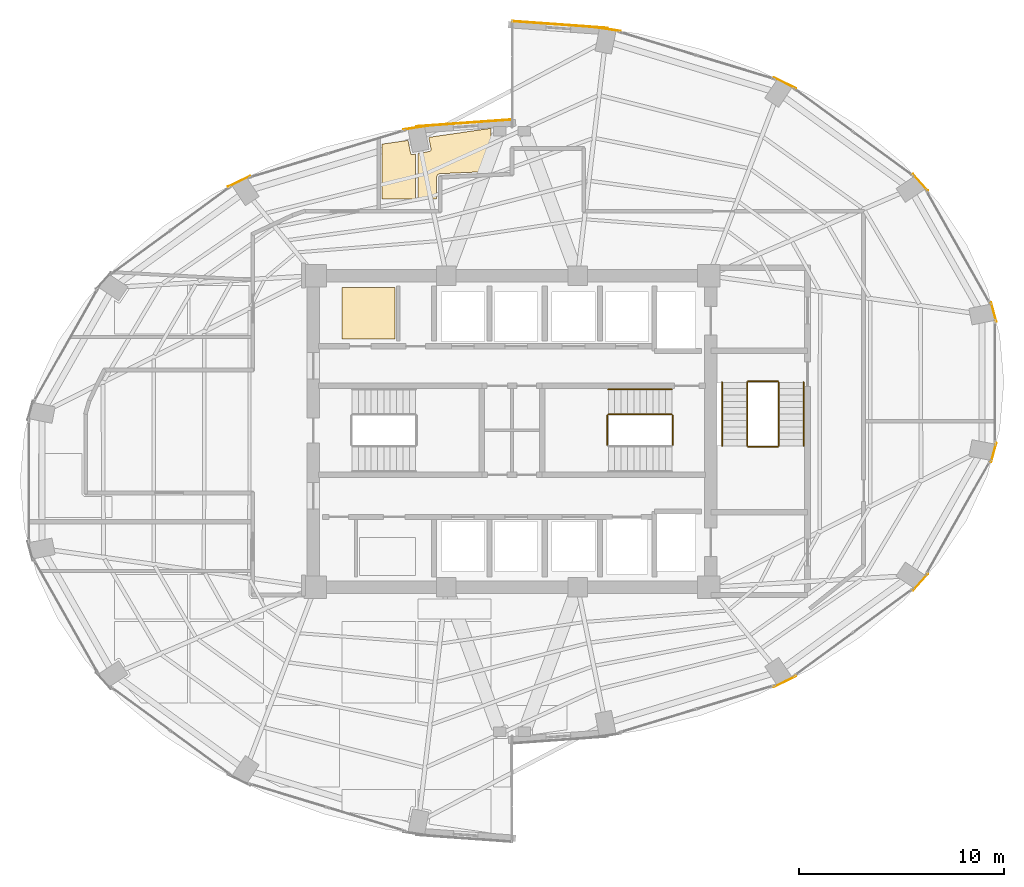
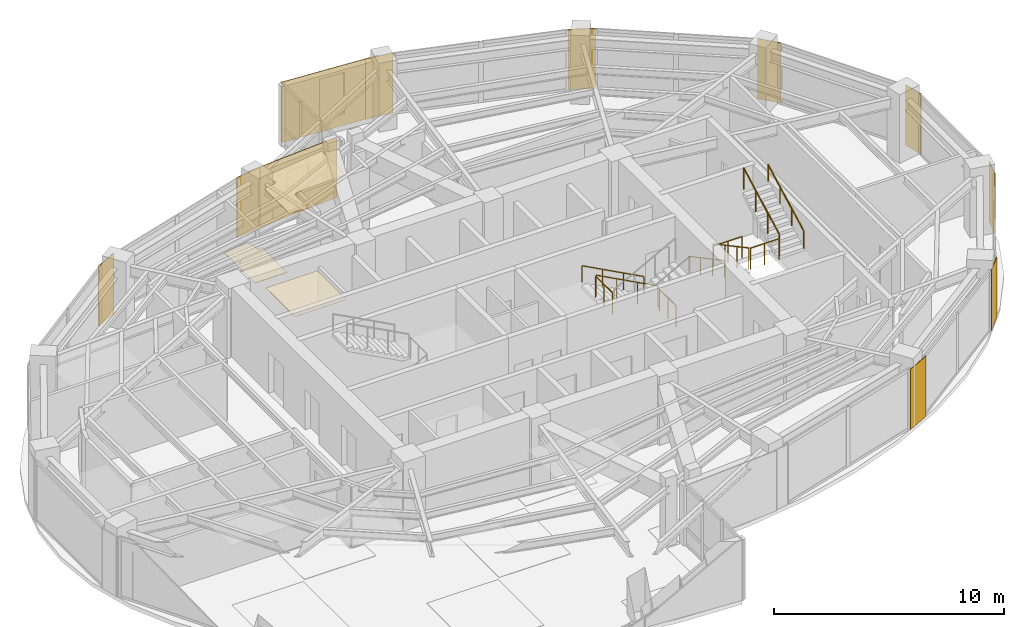
# One storey, part 20 of 20: 14 coverings, 10 railings.
"""IFC4 building model written with IfcOpenShell, lengths in metres."""

from ifc_helpers import new_model, si_unit, direction, frame, origin, origin_2d, place, context, subcontext, project, spatial, polyline, rectangle, circle, outline, extrude, material, layer, layer_set, type_object, element, save


model = new_model("IFC4")

# Units and contexts
model_context = context("Model", 3, precision=1e-05, world=origin(), true_north=direction((0.0, 1.0)))
body_context = subcontext(model_context, "Body", "Model", "MODEL_VIEW")
ifc_project = project(units=[si_unit("LENGTHUNIT", "METRE"), si_unit("AREAUNIT", "SQUARE_METRE"), si_unit("VOLUMEUNIT", "CUBIC_METRE"), si_unit("PLANEANGLEUNIT", "RADIAN"), si_unit("MASSUNIT", "GRAM", prefix="KILO")], contexts=[model_context])

# Site, building, storey
site_placement = place(None, origin())
site = spatial("IfcSite", under=ifc_project, at=site_placement, CompositionType="ELEMENT")
building_placement = place(site_placement, origin())
building = spatial("IfcBuilding", under=site, at=building_placement, Name="Lazwardi Medical Tower", CompositionType="ELEMENT")
storey_placement = place(building_placement, frame((0.0, 0.0, 185.7119140625)))
storey = spatial("IfcBuildingStorey", under=building, at=storey_placement, Name="L48", CompositionType="ELEMENT", Elevation=185.7119140625)

# Coverings
ifc_material_1 = material(Name="Anodised bronze aluminium cassette cladding", Category="aluminium")
ifc_layer_1 = layer(ifc_material_1, 0.030029296875)
ifc_layer_set_1 = layer_set([ifc_layer_1], Name="Anodised bronze aluminium cassette cladding")
covering_type_1 = type_object("IfcCoveringType", Name="COV-CLD-BRZ", PredefinedType="CLADDING", material=ifc_layer_set_1)
covering_1_placement = place(storey_placement, frame((49.31103515625, 15.798095703125, 0.0), z_axis=(0.0, 0.0, 1.0), x_axis=(0.898079014814, 0.439834154144, 0.0)))
element("IfcCovering", 1, at=covering_1_placement, inside=storey, type_object=covering_type_1, Name="L48 Mega-column bronze cassette cover M02", PredefinedType="CLADDING", context=body_context, shape_type="SweptSolid", body=[
    extrude(rectangle(XDim=1.200439453125, YDim=0.030029296875, at=origin_2d()), origin(), (0.0, 0.0, 1.0), 3.197998046875),
])
covering_2_placement = place(storey_placement, frame((55.92138671875, 20.643310546875, 0.0), z_axis=(0.0, 0.0, 1.0), x_axis=(0.673714459537, 0.738991763832, 0.0)))
element("IfcCovering", 2, at=covering_2_placement, inside=storey, type_object=covering_type_1, Name="L48 Mega-column bronze cassette cover M03", PredefinedType="CLADDING", context=body_context, shape_type="SweptSolid", body=[
    extrude(rectangle(XDim=1.0693359375, YDim=0.030029296875, at=origin_2d()), origin(), (0.0, 0.0, 1.0), 3.197998046875),
])
for number, where, z_axis, x_axis, name in (
    (3, (59.498779296875, 26.973876953125, 0.0), (0.0, 0.0, 1.0), (0.261828726257, 0.965114354938, 0.0), "L48 Mega-column bronze cassette cover M04"),
    (4, (59.498779296875, 33.826171875, 0.0), (0.0, 0.0, 1.0), (-0.261828726257, 0.965114354938, 0.0), "L48 Mega-column bronze cassette cover M05"),
):
    element("IfcCovering", number, at=place(storey_placement, frame(where, z_axis=z_axis, x_axis=x_axis)), inside=storey, type_object=covering_type_1, Name=name, PredefinedType="CLADDING", context=body_context, shape_type="SweptSolid", body=[
        extrude(rectangle(XDim=0.9658203125, YDim=0.030029296875, at=origin_2d()), origin(), (0.0, 0.0, 1.0), 3.197998046875),
    ])
covering_3_placement = place(storey_placement, frame((55.92138671875, 40.15673828125, 0.0), z_axis=(0.0, 0.0, 1.0), x_axis=(-0.673714459537, 0.738991763832, 0.0)))
element("IfcCovering", 5, at=covering_3_placement, inside=storey, type_object=covering_type_1, Name="L48 Mega-column bronze cassette cover M06", PredefinedType="CLADDING", context=body_context, shape_type="SweptSolid", body=[
    extrude(rectangle(XDim=1.0693359375, YDim=0.030029296875, at=origin_2d()), origin(), (0.0, 0.0, 1.0), 3.197998046875),
])
covering_4_placement = place(storey_placement, frame((49.31103515625, 45.001953125, 0.0), z_axis=(0.0, 0.0, 1.0), x_axis=(-0.898079014814, 0.439834154144, 0.0)))
element("IfcCovering", 6, at=covering_4_placement, inside=storey, type_object=covering_type_1, Name="L48 Mega-column bronze cassette cover M07", PredefinedType="CLADDING", context=body_context, shape_type="SweptSolid", body=[
    extrude(rectangle(XDim=1.200439453125, YDim=0.030029296875, at=origin_2d()), origin(), (0.0, 0.0, 1.0), 3.197998046875),
])
for number, where, z_axis, x_axis, name in (
    (7, (40.67431640625, 47.6240234375, 0.0), (0.0, 0.0, 1.0), (-0.989539138138, 0.144264666823, 0.0), "L48 Mega-column bronze cassette cover M08"),
    (8, (31.32568359375, 42.82421875, 0.0), (0.0, 0.0, 1.0), (-0.989539138138, -0.144264666823, 0.0), "L48 Mega-column bronze cassette cover M09"),
):
    element("IfcCovering", number, at=place(storey_placement, frame(where, z_axis=z_axis, x_axis=x_axis)), inside=storey, type_object=covering_type_1, Name=name, PredefinedType="CLADDING", context=body_context, shape_type="SweptSolid", body=[
        extrude(rectangle(XDim=1.28515625, YDim=0.030029296875, at=origin_2d()), origin(), (0.0, 0.0, 1.0), 3.197998046875),
    ])
covering_5_placement = place(storey_placement, frame((22.68896484375, 40.201904296875, 0.0), z_axis=(0.0, 0.0, 1.0), x_axis=(-0.898079014814, -0.439834154144, 0.0)))
element("IfcCovering", 9, at=covering_5_placement, inside=storey, type_object=covering_type_1, Name="L48 Mega-column bronze cassette cover M10", PredefinedType="CLADDING", context=body_context, shape_type="SweptSolid", body=[
    extrude(rectangle(XDim=1.200439453125, YDim=0.030029296875, at=origin_2d()), origin(), (0.0, 0.0, 1.0), 3.197998046875),
])
ifc_material_2 = material(Name="Turquoise glazed ceramic tilework cladding", Category="masonry")
ifc_layer_2 = layer(ifc_material_2, 0.034912109375)
ifc_layer_set_2 = layer_set([ifc_layer_2], Name="Turquoise glazed ceramic tilework cladding")
covering_type_2 = type_object("IfcCoveringType", Name="COV-CLD-TRQ", PredefinedType="CLADDING", material=ifc_layer_set_2)
covering_6_placement = place(storey_placement, frame((38.338134765625, 47.847412109375, 0.0), z_axis=(0.0, 0.0, 1.0), x_axis=(-0.997414510753, 0.071863020663, 0.0)))
element("IfcCovering", 10, at=covering_6_placement, inside=storey, type_object=covering_type_2, Name="L48 Turquoise glazed ceramic tilework cladding", PredefinedType="CLADDING", context=body_context, shape_type="SweptSolid", body=[
    extrude(rectangle(XDim=4.6630859375, YDim=0.034912109375, at=origin_2d()), origin(), (0.0, 0.0, 1.0), 3.197998046875),
])
covering_7_placement = place(storey_placement, frame((33.66162109375, 43.047607421875, 0.0), z_axis=(0.0, 0.0, 1.0), x_axis=(-0.997414134466, -0.071868243112, 0.0)))
element("IfcCovering", 11, at=covering_7_placement, inside=storey, type_object=covering_type_2, Name="L48 Turquoise glazed ceramic tilework cladding", PredefinedType="CLADDING", context=body_context, shape_type="SweptSolid", body=[
    extrude(rectangle(XDim=4.66259765625, YDim=0.034912109375, at=origin_2d()), origin(), (0.0, 0.0, 1.0), 3.197998046875),
])
ifc_material_3 = material(Name="Acoustic mineral fibre tile")
ifc_layer_3 = layer(ifc_material_3, 0.02490234375)
ifc_layer_set_3 = layer_set([ifc_layer_3], Name="Acoustic mineral fibre tile")
covering_type_3 = type_object("IfcCoveringType", Name="COV-CLG-01", PredefinedType="CEILING", material=ifc_layer_set_3)
covering_8_placement = place(storey_placement, frame((0.0, 0.0, 3.052978515625)))
element("IfcCovering", 12, at=covering_8_placement, inside=storey, type_object=covering_type_3, Name="L48 Clinical Acoustic Ceiling 8", PredefinedType="CEILING", context=body_context, shape_type="SweptSolid", body=[
    extrude(outline(polyline([(27.702880859375, 32.5), (30.2900390625, 32.5), (30.2900390625, 35.02001953125), (27.702880859375, 35.02001953125), (27.702880859375, 32.5)])), origin(), (0.0, 0.0, 1.0), 0.025146484375),
])
covering_9_placement = place(storey_placement, frame((0.0, 0.0, 3.052978515625)))
element("IfcCovering", 13, at=covering_9_placement, inside=storey, type_object=covering_type_3, Name="L48 Clinical Acoustic Ceiling 10", PredefinedType="CEILING", context=body_context, shape_type="SweptSolid", body=[
    extrude(outline(polyline([(34.98291015625, 42.791259765625), (31.93994140625, 42.3486328125), (32.05615234375, 41.7646484375), (32.05712890625, 41.7568359375), (32.0576171875, 41.7490234375), (32.05712890625, 41.7412109375), (32.05615234375, 41.7333984375), (32.05419921875, 41.725830078125), (32.051513671875, 41.718505859375), (32.048095703125, 41.71142578125), (32.044189453125, 41.70458984375), (32.039306640625, 41.698486328125), (32.0341796875, 41.6923828125), (32.0283203125, 41.687255859375), (32.02197265625, 41.6826171875), (32.015380859375, 41.678466796875), (32.00830078125, 41.67529296875), (32.000732421875, 41.672607421875), (31.9931640625, 41.670654296875), (31.40283203125, 41.55322265625), (31.40283203125, 39.3525390625), (32.324951171875, 39.3525390625), (32.324951171875, 40.3994140625), (32.3251953125, 40.40283203125), (32.325439453125, 40.411865234375), (32.326171875, 40.419921875), (32.327392578125, 40.428955078125), (32.3291015625, 40.436767578125), (32.331298828125, 40.445556640625), (32.3330078125, 40.45166015625), (32.3359375, 40.460205078125), (32.339111328125, 40.46826171875), (32.343017578125, 40.4765625), (32.34619140625, 40.48291015625), (32.350830078125, 40.49072265625), (32.35498046875, 40.497314453125), (32.3603515625, 40.504638671875), (32.364990234375, 40.510498046875), (32.370849609375, 40.517333984375), (32.376220703125, 40.522705078125), (32.3828125, 40.529052734375), (32.388427734375, 40.533935546875), (32.3955078125, 40.53955078125), (32.40234375, 40.54443359375), (32.409912109375, 40.54931640625), (32.415283203125, 40.552490234375), (32.42333984375, 40.556640625), (32.431640625, 40.560302734375), (32.440185546875, 40.563720703125), (32.44580078125, 40.565673828125), (32.45458984375, 40.568359375), (32.462646484375, 40.5703125), (32.4716796875, 40.572021484375), (32.4794921875, 40.572998046875), (32.488525390625, 40.573974609375), (32.491943359375, 40.57421875), (34.98291015625, 40.6884765625), (34.98291015625, 42.791259765625)])), origin(), (0.0, 0.0, 1.0), 0.025146484375),
])
ifc_material_4 = material(Name="Anti-static hospital vinyl sheet flooring")
ifc_layer_4 = layer(ifc_material_4, 0.014892578125)
ifc_layer_set_4 = layer_set([ifc_layer_4], Name="Anti-static hospital vinyl sheet flooring")
covering_type_4 = type_object("IfcCoveringType", Name="COV-FLR-01", PredefinedType="FLOORING", material=ifc_layer_set_4)
covering_10_placement = place(storey_placement, origin())
element("IfcCovering", 14, at=covering_10_placement, inside=storey, type_object=covering_type_4, Name="L48 Clinical Vinyl Flooring 7", PredefinedType="FLOORING", context=body_context, shape_type="SweptSolid", body=[
    extrude(outline(polyline([(31.282958984375, 41.529296875), (31.149658203125, 41.502685546875), (31.141845703125, 41.501708984375), (31.134033203125, 41.501220703125), (31.126220703125, 41.501708984375), (31.118408203125, 41.502685546875), (31.11083984375, 41.504638671875), (31.103515625, 41.50732421875), (31.096435546875, 41.5107421875), (31.089599609375, 41.514892578125), (31.083251953125, 41.51953125), (31.077392578125, 41.524658203125), (31.072265625, 41.530517578125), (31.067626953125, 41.536865234375), (31.0634765625, 41.543701171875), (31.060302734375, 41.55078125), (31.0576171875, 41.55810546875), (31.0556640625, 41.565673828125), (30.92919921875, 42.201416015625), (29.6650390625, 42.017578125), (29.6650390625, 39.3525390625), (31.282958984375, 39.3525390625), (31.282958984375, 41.529296875)])), origin(), (0.0, 0.0, 1.0), 0.01513671875),
])

# Railings
ifc_material_5 = material(Name="Stainless steel Grade 316", Category="steel")
railing_type_1 = type_object("IfcRailingType", Name="RLG-GRD-1150", PredefinedType="GUARDRAIL", material=ifc_material_5)
railing_1_placement = place(storey_placement, frame((43.800048828125, 28.830078125, 0.166015625)))
element("IfcRailing", 15, at=railing_1_placement, inside=storey, type_object=railing_type_1, Name="L48 ST2 stair guard 1", PredefinedType="GUARDRAIL", context=body_context, shape_type="SweptSolid", body=[
    extrude(circle(Radius=0.02392578125, at=origin_2d()), frame((0.0, 0.0, 1.1259765625), z_axis=(-0.881812178953, 0.0, 0.471600764472), x_axis=(0.0, -1.0, 0.0)), (0.0, 0.0, 1.0), 3.515625),
    extrude(circle(Radius=0.02099609375, at=origin_2d()), origin(), (0.0, 0.0, 1.0), 1.099853515625),
    extrude(circle(Radius=0.02099609375, at=origin_2d()), frame((-1.033447265625, 0.0, 0.552734375)), (0.0, 0.0, 1.0), 1.099853515625),
    extrude(circle(Radius=0.02099609375, at=origin_2d()), frame((-2.066650390625, 0.0, 1.105224609375)), (0.0, 0.0, 1.0), 1.099853515625),
    extrude(circle(Radius=0.02099609375, at=origin_2d()), frame((-3.10009765625, 0.0, 1.657958984375)), (0.0, 0.0, 1.0), 1.099853515625),
])
for number, where, name in (
    (16, (40.64990234375, 28.780029296875, 1.823974609375), "L48 ST2 stair guard 2"),
    (17, (43.85009765625, 28.780029296875, 0.0), "L48 ST2 stair guard 4"),
):
    element("IfcRailing", number, at=place(storey_placement, frame(where)), inside=storey, type_object=railing_type_1, Name=name, PredefinedType="GUARDRAIL", context=body_context, shape_type="SweptSolid", body=[
        extrude(circle(Radius=0.02392578125, at=origin_2d()), frame((0.0, 0.0, 1.1259765625), z_axis=(0.0, -1.0, 0.0), x_axis=(1.0, 0.0, 0.0)), (0.0, 0.0, 1.0), 1.43994140625),
        extrude(circle(Radius=0.02099609375, at=origin_2d()), origin(), (0.0, 0.0, 1.0), 1.099853515625),
        extrude(circle(Radius=0.02099609375, at=origin_2d()), frame((0.0, -0.719970703125, 0.0)), (0.0, 0.0, 1.0), 1.099853515625),
        extrude(circle(Radius=0.02099609375, at=origin_2d()), frame((0.0, -1.43994140625, 0.0)), (0.0, 0.0, 1.0), 1.099853515625),
    ])
railing_2_placement = place(storey_placement, frame((47.469970703125, 30.39990234375, 0.166015625)))
element("IfcRailing", 18, at=railing_2_placement, inside=storey, type_object=railing_type_1, Name="L48 ST3 stair guard 1", PredefinedType="GUARDRAIL", context=body_context, shape_type="SweptSolid", body=[
    extrude(circle(Radius=0.02392578125, at=origin_2d()), frame((0.0, 0.0, 1.1259765625), z_axis=(0.0, -0.881796732468, 0.4716296456), x_axis=(1.0, 0.0, 0.0)), (0.0, 0.0, 1.0), 3.515380859375),
    extrude(circle(Radius=0.02099609375, at=origin_2d()), origin(), (0.0, 0.0, 1.0), 1.099853515625),
    extrude(circle(Radius=0.02099609375, at=origin_2d()), frame((0.0, -1.033203125, 0.552734375)), (0.0, 0.0, 1.0), 1.099853515625),
    extrude(circle(Radius=0.02099609375, at=origin_2d()), frame((0.0, -2.066650390625, 1.105224609375)), (0.0, 0.0, 1.0), 1.099853515625),
    extrude(circle(Radius=0.02099609375, at=origin_2d()), frame((0.0, -3.099853515625, 1.657958984375)), (0.0, 0.0, 1.0), 1.099853515625),
])
railing_3_placement = place(storey_placement, frame((47.52001953125, 27.25, 1.823974609375)))
element("IfcRailing", 19, at=railing_3_placement, inside=storey, type_object=railing_type_1, Name="L48 ST3 stair guard 2", PredefinedType="GUARDRAIL", context=body_context, shape_type="SweptSolid", body=[
    extrude(circle(Radius=0.02392578125, at=origin_2d()), frame((0.0, 0.0, 1.1259765625), z_axis=(1.0, 0.0, 0.0), x_axis=(0.0, 1.0, 0.0)), (0.0, 0.0, 1.0), 1.43994140625),
    extrude(circle(Radius=0.02099609375, at=origin_2d()), origin(), (0.0, 0.0, 1.0), 1.099853515625),
    extrude(circle(Radius=0.02099609375, at=origin_2d()), frame((0.719970703125, 0.0, 0.0)), (0.0, 0.0, 1.0), 1.099853515625),
    extrude(circle(Radius=0.02099609375, at=origin_2d()), frame((1.43994140625, 0.0, 0.0)), (0.0, 0.0, 1.0), 1.099853515625),
])
railing_4_placement = place(storey_placement, frame((49.010009765625, 27.300048828125, 1.989990234375)))
element("IfcRailing", 20, at=railing_4_placement, inside=storey, type_object=railing_type_1, Name="L48 ST3 stair guard 3", PredefinedType="GUARDRAIL", context=body_context, shape_type="SweptSolid", body=[
    extrude(circle(Radius=0.02392578125, at=origin_2d()), frame((0.0, 0.0, 1.1259765625), z_axis=(0.0, 0.881767849116, 0.471683644262), x_axis=(-1.0, 0.0, 0.0)), (0.0, 0.0, 1.0), 3.515380859375),
    extrude(circle(Radius=0.02099609375, at=origin_2d()), origin(), (0.0, 0.0, 1.0), 1.099853515625),
    extrude(circle(Radius=0.02099609375, at=origin_2d()), frame((0.0, 1.033203125, 0.552734375)), (0.0, 0.0, 1.0), 1.099853515625),
    extrude(circle(Radius=0.02099609375, at=origin_2d()), frame((0.0, 2.066650390625, 1.10546875)), (0.0, 0.0, 1.0), 1.099853515625),
    extrude(circle(Radius=0.02099609375, at=origin_2d()), frame((0.0, 3.099853515625, 1.658203125)), (0.0, 0.0, 1.0), 1.099853515625),
])
railing_5_placement = place(storey_placement, frame((47.52001953125, 30.449951171875, 0.0)))
element("IfcRailing", 21, at=railing_5_placement, inside=storey, type_object=railing_type_1, Name="L48 ST3 stair guard 4", PredefinedType="GUARDRAIL", context=body_context, shape_type="SweptSolid", body=[
    extrude(circle(Radius=0.02392578125, at=origin_2d()), frame((0.0, 0.0, 1.1259765625), z_axis=(1.0, 0.0, 0.0), x_axis=(0.0, 1.0, 0.0)), (0.0, 0.0, 1.0), 1.43994140625),
    extrude(circle(Radius=0.02099609375, at=origin_2d()), origin(), (0.0, 0.0, 1.0), 1.099853515625),
    extrude(circle(Radius=0.02099609375, at=origin_2d()), frame((0.719970703125, 0.0, 0.0)), (0.0, 0.0, 1.0), 1.099853515625),
    extrude(circle(Radius=0.02099609375, at=origin_2d()), frame((1.43994140625, 0.0, 0.0)), (0.0, 0.0, 1.0), 1.099853515625),
])
railing_type_2 = type_object("IfcRailingType", Name="RLG-HND-920", PredefinedType="HANDRAIL", material=ifc_material_5)
railing_6_placement = place(storey_placement, frame((43.800048828125, 30.050048828125, 0.166015625)))
element("IfcRailing", 22, at=railing_6_placement, inside=storey, type_object=railing_type_2, Name="L48 ST2 stair handrail 1", PredefinedType="HANDRAIL", context=body_context, shape_type="SweptSolid", body=[
    extrude(circle(Radius=0.02392578125, at=origin_2d()), frame((0.0, 0.0, 0.8857421875), z_axis=(-0.881812178953, 0.0, 0.471600764472), x_axis=(0.0, -1.0, 0.0)), (0.0, 0.0, 1.0), 3.515625),
    extrude(circle(Radius=0.02099609375, at=origin_2d()), origin(), (0.0, 0.0, 1.0), 0.85986328125),
    extrude(circle(Radius=0.02099609375, at=origin_2d()), frame((-1.033447265625, 0.0, 0.552734375)), (0.0, 0.0, 1.0), 0.85986328125),
    extrude(circle(Radius=0.02099609375, at=origin_2d()), frame((-2.066650390625, 0.0, 1.105224609375)), (0.0, 0.0, 1.0), 0.85986328125),
    extrude(circle(Radius=0.02099609375, at=origin_2d()), frame((-3.10009765625, 0.0, 1.657958984375)), (0.0, 0.0, 1.0), 0.85986328125),
])
railing_7_placement = place(storey_placement, frame((46.25, 30.39990234375, 0.166015625)))
element("IfcRailing", 23, at=railing_7_placement, inside=storey, type_object=railing_type_2, Name="L48 ST3 stair handrail 1", PredefinedType="HANDRAIL", context=body_context, shape_type="SweptSolid", body=[
    extrude(circle(Radius=0.02392578125, at=origin_2d()), frame((0.0, 0.0, 0.8857421875), z_axis=(0.0, -0.881796732468, 0.4716296456), x_axis=(1.0, 0.0, 0.0)), (0.0, 0.0, 1.0), 3.515380859375),
    extrude(circle(Radius=0.02099609375, at=origin_2d()), origin(), (0.0, 0.0, 1.0), 0.85986328125),
    extrude(circle(Radius=0.02099609375, at=origin_2d()), frame((0.0, -1.033203125, 0.552734375)), (0.0, 0.0, 1.0), 0.85986328125),
    extrude(circle(Radius=0.02099609375, at=origin_2d()), frame((0.0, -2.066650390625, 1.105224609375)), (0.0, 0.0, 1.0), 0.85986328125),
    extrude(circle(Radius=0.02099609375, at=origin_2d()), frame((0.0, -3.099853515625, 1.657958984375)), (0.0, 0.0, 1.0), 0.85986328125),
])
railing_8_placement = place(storey_placement, frame((50.22998046875, 27.300048828125, 1.989990234375)))
element("IfcRailing", 24, at=railing_8_placement, inside=storey, type_object=railing_type_2, Name="L48 ST3 stair handrail 2", PredefinedType="HANDRAIL", context=body_context, shape_type="SweptSolid", body=[
    extrude(circle(Radius=0.02392578125, at=origin_2d()), frame((0.0, 0.0, 0.8857421875), z_axis=(0.0, 0.881767849116, 0.471683644262), x_axis=(-1.0, 0.0, 0.0)), (0.0, 0.0, 1.0), 3.515380859375),
    extrude(circle(Radius=0.02099609375, at=origin_2d()), origin(), (0.0, 0.0, 1.0), 0.85986328125),
    extrude(circle(Radius=0.02099609375, at=origin_2d()), frame((0.0, 1.033203125, 0.552734375)), (0.0, 0.0, 1.0), 0.85986328125),
    extrude(circle(Radius=0.02099609375, at=origin_2d()), frame((0.0, 2.066650390625, 1.10546875)), (0.0, 0.0, 1.0), 0.85986328125),
    extrude(circle(Radius=0.02099609375, at=origin_2d()), frame((0.0, 3.099853515625, 1.658203125)), (0.0, 0.0, 1.0), 0.85986328125),
])

save(model, "model.ifc")
